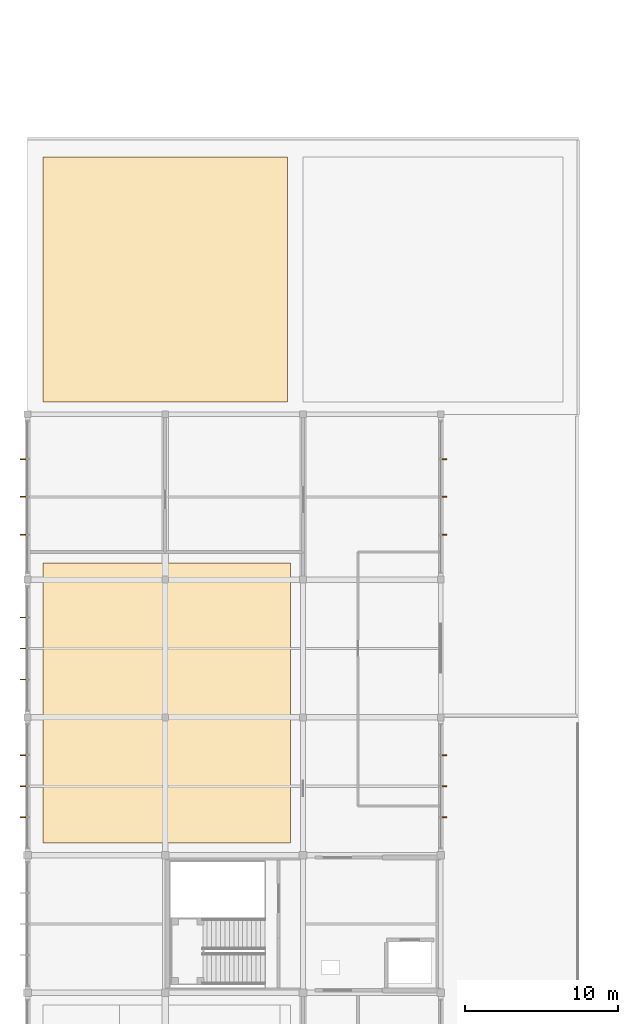
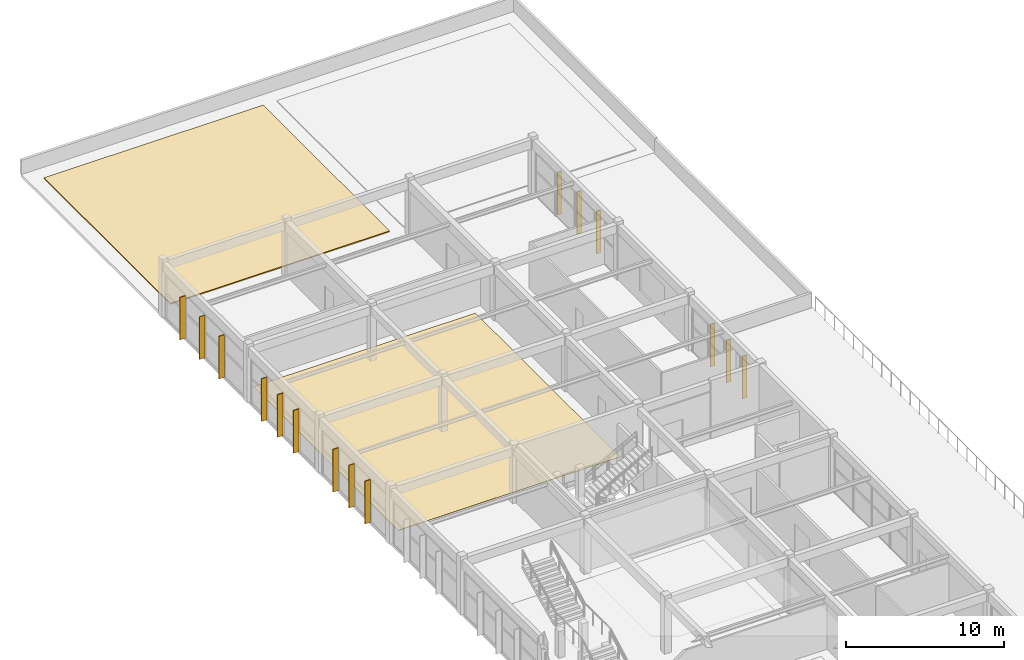
# One storey, part 21 of 22: 15 shading devices, 2 coverings.
"""IFC4 building model written with IfcOpenShell, lengths in metres."""

from ifc_helpers import new_model, si_unit, direction, frame, origin, origin_2d, place, context, subcontext, project, spatial, polyline, rectangle, outline, extrude, material, layer, layer_set, type_object, element, save


model = new_model("IFC4")

# Units and contexts
model_context = context("Model", 3, precision=1e-05, world=origin(), true_north=direction((0.0, 1.0)))
body_context = subcontext(model_context, "Body", "Model", "MODEL_VIEW")
ifc_project = project(units=[si_unit("LENGTHUNIT", "METRE"), si_unit("AREAUNIT", "SQUARE_METRE"), si_unit("VOLUMEUNIT", "CUBIC_METRE"), si_unit("PLANEANGLEUNIT", "RADIAN"), si_unit("MASSUNIT", "GRAM", prefix="KILO")], contexts=[model_context])

# Site, building, storey
site_placement = place(None, origin())
site = spatial("IfcSite", under=ifc_project, at=site_placement, CompositionType="ELEMENT")
building_placement = place(site_placement, origin())
building = spatial("IfcBuilding", under=site, at=building_placement, Name="Suirenkawa Promenade Aquatics Centre", CompositionType="ELEMENT")
storey_placement = place(building_placement, frame((0.0, 0.0, 14.10009765625)))
storey = spatial("IfcBuildingStorey", under=building, at=storey_placement, Name="L03", CompositionType="ELEMENT", Elevation=14.10009765625)

# Coverings
ifc_material_1 = material(Name="Encapsulated mineral-wool cool-roof build-up")
ifc_layer_1 = layer(ifc_material_1, 0.080078125, Name="Encapsulated mineral-wool cool-roof build-up")
ifc_layer_set_1 = layer_set([ifc_layer_1], Name="Encapsulated mineral-wool cool-roof build-up")
covering_type_1 = type_object("IfcCoveringType", Name="CVT-ROOF-COOL", PredefinedType="ROOFING", material=ifc_layer_set_1)
covering_1_placement = place(storey_placement, origin())
element("IfcCovering", 1, at=covering_1_placement, inside=storey, type_object=covering_type_1, Name="Cool roof membrane RF-02 CVR-008", PredefinedType="ROOFING", context=body_context, shape_type="SweptSolid", body=[
    extrude(outline(polyline([(1.0, 98.0), (17.0, 98.0), (17.0, 114.0), (1.0, 114.0), (1.0, 98.0)])), origin(), (0.0, 0.0, 1.0), 0.079833984375),
])
ifc_material_2 = material(Name="Engineered maple acoustic sports timber", Category="wood")
ifc_layer_2 = layer(ifc_material_2, 0.030029296875, Name="Engineered maple acoustic sports timber", Category="wood")
ifc_layer_set_2 = layer_set([ifc_layer_2], Name="Engineered maple acoustic sports timber")
covering_type_2 = type_object("IfcCoveringType", Name="CVT-SPORTS-MAPLE", PredefinedType="FLOORING", material=ifc_layer_set_2)
covering_2_placement = place(storey_placement, origin())
element("IfcCovering", 2, at=covering_2_placement, inside=storey, type_object=covering_type_2, Name="Floor finish FLR-02 FLR-012", PredefinedType="FLOORING", context=body_context, shape_type="SweptSolid", body=[
    extrude(outline(polyline([(1.0, 69.199951171875), (17.199951171875, 69.199951171875), (17.199951171875, 87.5), (1.0, 87.5), (1.0, 69.199951171875)])), origin(), (0.0, 0.0, 1.0), 0.02978515625),
])

# Shading devices
ifc_material_3 = material(Name="Anodised aluminium 6063-T6", Category="aluminium")
shading_device_type_1 = type_object("IfcShadingDeviceType", Name="SDT-KOUSHI-320", PredefinedType="USERDEFINED", material=ifc_material_3)
for number, where, z_axis, x_axis, name in (
    (3, (27.23193359375, 74.925537109375, 0.039794921875), (0.0, 0.0, 1.0), (1.0, 0.0, 0.0), "Vertical solar shading fin FN-02 FIN-0223"),
    (4, (27.23193359375, 72.89990234375, 0.039794921875), (0.0, 0.0, 1.0), (1.0, 0.0, 0.0), "Vertical solar shading fin FN-02 FIN-0224"),
    (5, (27.23193359375, 70.87451171875, 0.039794921875), (0.0, 0.0, 1.0), (1.0, 0.0, 0.0), "Vertical solar shading fin FN-02 FIN-0225"),
    (6, (27.23193359375, 94.275390625, 0.039794921875), (0.0, 0.0, 1.0), (1.0, 0.0, 0.0), "Vertical solar shading fin FN-02 FIN-0232"),
    (7, (27.23193359375, 91.800048828125, 0.039794921875), (0.0, 0.0, 1.0), (1.0, 0.0, 0.0), "Vertical solar shading fin FN-02 FIN-0233"),
    (8, (27.23193359375, 89.324462890625, 0.039794921875), (0.0, 0.0, 1.0), (1.0, 0.0, 0.0), "Vertical solar shading fin FN-02 FIN-0234"),
):
    element("IfcShadingDevice", number, at=place(storey_placement, frame(where, z_axis=z_axis, x_axis=x_axis)), inside=storey, type_object=shading_device_type_1, Name=name, ObjectType="FIN", PredefinedType="USERDEFINED", context=body_context, shape_type="SweptSolid", body=[
        extrude(rectangle(XDim=0.320068359375, YDim=0.06005859375, at=origin_2d()), origin(), (0.0, 0.0, 1.0), 3.2900390625),
    ])
shading_device_type_2 = type_object("IfcShadingDeviceType", Name="SDT-KOUSHI-400", PredefinedType="USERDEFINED", material=ifc_material_3)
for number, where, z_axis, x_axis, name in (
    (9, (-0.287109375, 70.87451171875, 0.039794921875), (0.0, 0.0, 1.0), (-1.0, 0.0, 0.0), "Vertical solar shading fin FN-01 FIN-0220"),
    (10, (-0.287109375, 72.89990234375, 0.039794921875), (0.0, 0.0, 1.0), (-1.0, 0.0, 0.0), "Vertical solar shading fin FN-01 FIN-0221"),
    (11, (-0.287109375, 74.925537109375, 0.039794921875), (0.0, 0.0, 1.0), (-1.0, 0.0, 0.0), "Vertical solar shading fin FN-01 FIN-0222"),
    (12, (-0.287109375, 79.87451171875, 0.039794921875), (0.0, 0.0, 1.0), (-1.0, 0.0, 0.0), "Vertical solar shading fin FN-01 FIN-0226"),
    (13, (-0.287109375, 81.89990234375, 0.039794921875), (0.0, 0.0, 1.0), (-1.0, 0.0, 0.0), "Vertical solar shading fin FN-01 FIN-0227"),
    (14, (-0.287109375, 83.925537109375, 0.039794921875), (0.0, 0.0, 1.0), (-1.0, 0.0, 0.0), "Vertical solar shading fin FN-01 FIN-0228"),
    (15, (-0.287109375, 89.324462890625, 0.039794921875), (0.0, 0.0, 1.0), (-1.0, 0.0, 0.0), "Vertical solar shading fin FN-01 FIN-0229"),
    (16, (-0.287109375, 91.800048828125, 0.039794921875), (0.0, 0.0, 1.0), (-1.0, 0.0, 0.0), "Vertical solar shading fin FN-01 FIN-0230"),
    (17, (-0.287109375, 94.275390625, 0.039794921875), (0.0, 0.0, 1.0), (-1.0, 0.0, 0.0), "Vertical solar shading fin FN-01 FIN-0231"),
):
    element("IfcShadingDevice", number, at=place(storey_placement, frame(where, z_axis=z_axis, x_axis=x_axis)), inside=storey, type_object=shading_device_type_2, Name=name, ObjectType="FIN", PredefinedType="USERDEFINED", context=body_context, shape_type="SweptSolid", body=[
        extrude(rectangle(XDim=0.39990234375, YDim=0.06005859375, at=origin_2d()), origin(), (0.0, 0.0, 1.0), 3.2900390625),
    ])

save(model, "model.ifc")
